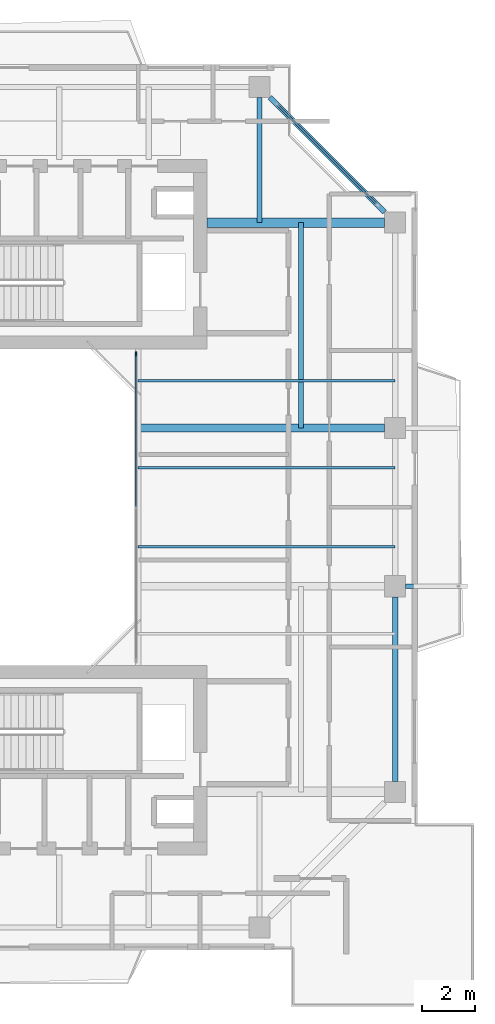
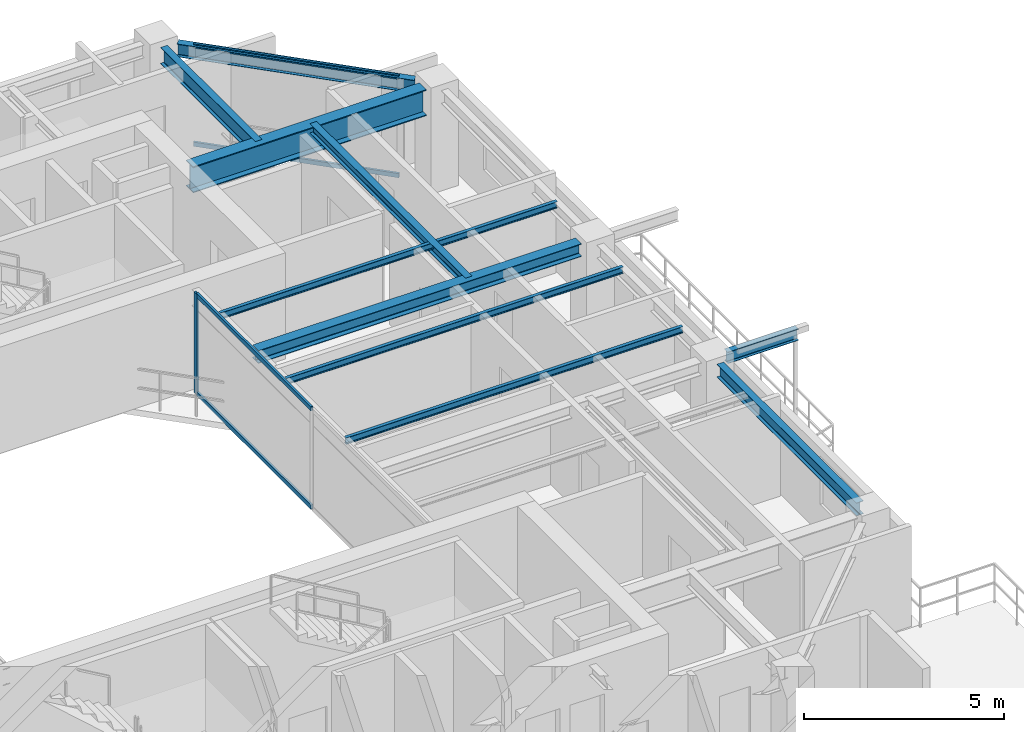
# One storey, part 6 of 15: 10 beams, 5 members, 2 elements without a shape of their own.
"""IFC4 building model written with IfcOpenShell, lengths in metres."""

from ifc_helpers import new_model, si_unit, direction, frame, origin, origin_2d, place, context, subcontext, project, spatial, rectangle, i_section, extrude, source, transform, mapped, material, layer, layer_set, material_profile, profile_set, type_object, element, aggregate, save


model = new_model("IFC4")

# Units and contexts
model_context = context("Model", 3, precision=1e-05, world=origin(), true_north=direction((0.0, 1.0)))
body_context = subcontext(model_context, "Body", "Model", "MODEL_VIEW")
ifc_project = project(units=[si_unit("LENGTHUNIT", "METRE"), si_unit("AREAUNIT", "SQUARE_METRE"), si_unit("VOLUMEUNIT", "CUBIC_METRE"), si_unit("PLANEANGLEUNIT", "RADIAN"), si_unit("MASSUNIT", "GRAM", prefix="KILO"), si_unit("THERMODYNAMICTEMPERATUREUNIT", "KELVIN"), si_unit("POWERUNIT", "WATT")], contexts=[model_context])

# Site, building, storey
site_placement = place(None, origin())
site = spatial("IfcSite", under=ifc_project, at=site_placement, CompositionType="ELEMENT")
building_placement = place(site_placement, origin())
building = spatial("IfcBuilding", under=site, at=building_placement, Name="Qiaomeng Ring Towers", CompositionType="ELEMENT")
storey_placement = place(building_placement, frame((0.0, 0.0, 213.25)))
storey = spatial("IfcBuildingStorey", under=building, at=storey_placement, Name="L62", CompositionType="ELEMENT", Elevation=213.25)

# Beams
ifc_material_1 = material(Name="Steel Q355B", Category="steel")
ifc_material_profile_1 = material_profile(ifc_material_1, i_section(OverallWidth=0.198974609375, OverallDepth=0.39599609375, WebThickness=0.007080078125, FlangeThickness=0.010986328125, FilletRadius=0.01611328125, at=origin_2d()), Name="HN 396x199x7x11")
ifc_profile_set_1 = profile_set([ifc_material_profile_1], Name="Steel Q355B")
beam_type_1 = type_object("IfcBeamType", Name="STR-BM-HN396", PredefinedType="SPANDREL", material=ifc_profile_set_1)
shared_shape_1 = source(origin(), body_context, "Body", "SweptSolid", [
    extrude(i_section(OverallWidth=0.198974609375, OverallDepth=0.39599609375, WebThickness=0.007080078125, FlangeThickness=0.010986328125, FilletRadius=0.01611328125, at=origin_2d()), origin(), (0.0, 0.0, 1.0), 6.154052734375),
])
beam_1_placement = place(storey_placement, frame((34.55078125, 34.19921875, 2.8720703125), z_axis=(-0.707106781187, 0.707106781187, 0.0), x_axis=(-0.707106781187, -0.707106781187, 0.0)))
element("IfcBeam", 1, at=beam_1_placement, inside=storey, type_object=beam_type_1, Name="L62 beam STR-SP-L62-T1-E4-N2", PredefinedType="SPANDREL", context=body_context, shape_type="MappedRepresentation", body=[
    mapped(shared_shape_1, transform((0.0, 0.0, 0.0), x_axis=(1.0, 0.0, 0.0), y_axis=(0.0, 1.0, 0.0), z_axis=(0.0, 0.0, 1.0), scale=1.0)),
])
shared_shape_2 = source(origin(), body_context, "Body", "SweptSolid", [
    extrude(i_section(OverallWidth=0.198974609375, OverallDepth=0.39599609375, WebThickness=0.007080078125, FlangeThickness=0.010986328125, FilletRadius=0.01611328125, at=origin_2d()), origin(), (0.0, 0.0, 1.0), 7.001953125),
])
beam_2_placement = place(storey_placement, frame((34.949951171875, 12.59912109375, 2.8720703125), z_axis=(0.0, 1.0, 0.0), x_axis=(-1.0, 0.0, 0.0)))
element("IfcBeam", 2, at=beam_2_placement, inside=storey, type_object=beam_type_1, Name="L62 beam STR-SP-L62-T1-E1-E2", PredefinedType="SPANDREL", context=body_context, shape_type="MappedRepresentation", body=[
    mapped(shared_shape_2, transform((0.0, 0.0, 0.0), x_axis=(1.0, 0.0, 0.0), y_axis=(0.0, 1.0, 0.0), z_axis=(0.0, 0.0, 1.0), scale=1.0)),
])
ifc_material_2 = material(Name="Steel Q390GJC", Category="steel")
ifc_material_profile_2 = material_profile(ifc_material_2, i_section(OverallWidth=0.35009765625, OverallDepth=0.800048828125, WebThickness=0.01611328125, FlangeThickness=0.028076171875, at=origin_2d()), Name="WH 800x350x16x28")
ifc_profile_set_2 = profile_set([ifc_material_profile_2], Name="Steel Q390GJC")
beam_type_2 = type_object("IfcBeamType", Name="STR-BM-WH800", PredefinedType="BEAM", material=ifc_profile_set_2)
shared_shape_3 = source(origin(), body_context, "Body", "SweptSolid", [
    extrude(i_section(OverallWidth=0.35009765625, OverallDepth=0.800048828125, WebThickness=0.01611328125, FlangeThickness=0.028076171875, at=origin_2d()), origin(), (0.0, 0.0, 1.0), 6.7509765625),
])
beam_3_placement = place(storey_placement, frame((27.800048828125, 33.800048828125, 2.669921875), z_axis=(1.0, 0.0, 0.0), x_axis=(0.0, 1.0, 0.0)))
element("IfcBeam", 3, at=beam_3_placement, inside=storey, type_object=beam_type_2, Name="L62 beam STR-BM-L62-T1-RAD-E4", PredefinedType="BEAM", context=body_context, shape_type="MappedRepresentation", body=[
    mapped(shared_shape_3, transform((0.0, 0.0, 0.0), x_axis=(1.0, 0.0, 0.0), y_axis=(0.0, 1.0, 0.0), z_axis=(0.0, 0.0, 1.0), scale=1.0)),
])
ifc_material_profile_3 = material_profile(ifc_material_1, i_section(OverallWidth=0.300048828125, OverallDepth=0.389892578125, WebThickness=0.010009765625, FlangeThickness=0.01611328125, FilletRadius=0.02197265625, at=origin_2d()), Name="HM 390x300x10x16")
ifc_profile_set_3 = profile_set([ifc_material_profile_3], Name="Steel Q355B")
beam_type_3 = type_object("IfcBeamType", Name="STR-BM-HM390", PredefinedType="BEAM", material=ifc_profile_set_3)
shared_shape_4 = source(origin(), body_context, "Body", "SweptSolid", [
    extrude(i_section(OverallWidth=0.300048828125, OverallDepth=0.389892578125, WebThickness=0.010009765625, FlangeThickness=0.01611328125, FilletRadius=0.02197265625, at=origin_2d()), origin(), (0.0, 0.0, 1.0), 9.35107421875),
])
beam_4_placement = place(storey_placement, frame((25.199951171875, 26.0, 2.875), z_axis=(1.0, 0.0, 0.0), x_axis=(0.0, 1.0, 0.0)))
element("IfcBeam", 4, at=beam_4_placement, inside=storey, type_object=beam_type_3, Name="L62 beam STR-BM-L62-T1-RAD-E3", PredefinedType="BEAM", context=body_context, shape_type="MappedRepresentation", body=[
    mapped(shared_shape_4, transform((0.0, 0.0, 0.0), x_axis=(1.0, 0.0, 0.0), y_axis=(0.0, 1.0, 0.0), z_axis=(0.0, 0.0, 1.0), scale=1.0)),
])
ifc_material_profile_4 = material_profile(ifc_material_1, i_section(OverallWidth=0.175048828125, OverallDepth=0.35009765625, WebThickness=0.007080078125, FlangeThickness=0.010986328125, FilletRadius=0.013916015625, at=origin_2d()), Name="HN 350x175x7x11")
ifc_profile_set_4 = profile_set([ifc_material_profile_4], Name="Steel Q355B")
beam_type_4 = type_object("IfcBeamType", Name="STR-BM-HN350", PredefinedType="JOIST", material=ifc_profile_set_4)
shared_shape_5 = source(origin(), body_context, "Body", "SweptSolid", [
    extrude(i_section(OverallWidth=0.175048828125, OverallDepth=0.35009765625, WebThickness=0.007080078125, FlangeThickness=0.010986328125, FilletRadius=0.013916015625, at=origin_2d()), origin(), (0.0, 0.0, 1.0), 2.05078125),
])
beam_5_placement = place(storey_placement, frame((35.34912109375, 20.0, 2.89501953125), z_axis=(1.0, 0.0, 0.0), x_axis=(0.0, 1.0, 0.0)))
element("IfcBeam", 5, at=beam_5_placement, inside=storey, type_object=beam_type_4, Name="L62 beam STR-BALBM-L62-E2", PredefinedType="JOIST", context=body_context, shape_type="MappedRepresentation", body=[
    mapped(shared_shape_5, transform((0.0, 0.0, 0.0), x_axis=(1.0, 0.0, 0.0), y_axis=(0.0, 1.0, 0.0), z_axis=(0.0, 0.0, 1.0), scale=1.0)),
])
ifc_material_profile_5 = material_profile(ifc_material_1, i_section(OverallWidth=0.10009765625, OverallDepth=0.199951171875, WebThickness=0.005615234375, FlangeThickness=0.008056640625, FilletRadius=0.010986328125, at=origin_2d()), Name="HN 200x100x5.5x8")
ifc_profile_set_5 = profile_set([ifc_material_profile_5], Name="Steel Q355B")
beam_type_5 = type_object("IfcBeamType", Name="STR-BM-HN200", PredefinedType="JOIST", material=ifc_profile_set_5)
shared_shape_6 = source(origin(), body_context, "Body", "SweptSolid", [
    extrude(i_section(OverallWidth=0.10009765625, OverallDepth=0.199951171875, WebThickness=0.005615234375, FlangeThickness=0.008056640625, FilletRadius=0.010986328125, at=origin_2d()), origin(), (0.0, 0.0, 1.0), 9.75),
])
for number, where, z_axis, x_axis, name in (
    (6, (25.199951171875, 21.5, 2.969970703125), (1.0, 0.0, 0.0), (0.0, 1.0, 0.0), "L62 beam STR-JST-L62-T1E-2"),
    (7, (25.199951171875, 24.5, 2.969970703125), (1.0, 0.0, 0.0), (0.0, 1.0, 0.0), "L62 beam STR-JST-L62-T1E-3"),
    (8, (25.199951171875, 27.800048828125, 2.969970703125), (1.0, 0.0, 0.0), (0.0, 1.0, 0.0), "L62 beam STR-JST-L62-T1E-4"),
):
    element("IfcBeam", number, at=place(storey_placement, frame(where, z_axis=z_axis, x_axis=x_axis)), inside=storey, type_object=beam_type_5, Name=name, PredefinedType="JOIST", context=body_context, shape_type="MappedRepresentation", body=[
        mapped(shared_shape_6, transform((0.0, 0.0, 0.0), x_axis=(1.0, 0.0, 0.0), y_axis=(0.0, 1.0, 0.0), z_axis=(0.0, 0.0, 1.0), scale=1.0)),
    ])
ifc_material_profile_6 = material_profile(ifc_material_1, i_section(OverallWidth=0.199951171875, OverallDepth=0.2939453125, WebThickness=0.008056640625, FlangeThickness=0.011962890625, FilletRadius=0.01806640625, at=origin_2d()), Name="HM 294x200x8x12")
ifc_profile_set_6 = profile_set([ifc_material_profile_6], Name="Steel Q355B")
beam_type_6 = type_object("IfcBeamType", Name="STR-BM-HM294", PredefinedType="JOIST", material=ifc_profile_set_6)
shared_shape_7 = source(origin(), body_context, "Body", "SweptSolid", [
    extrude(i_section(OverallWidth=0.199951171875, OverallDepth=0.2939453125, WebThickness=0.008056640625, FlangeThickness=0.011962890625, FilletRadius=0.01806640625, at=origin_2d()), origin(), (0.0, 0.0, 1.0), 7.800048828125),
])
beam_6_placement = place(storey_placement, frame((31.375, 26.0, 2.923095703125), z_axis=(0.0, 1.0, 0.0), x_axis=(-1.0, 0.0, 0.0)))
element("IfcBeam", 9, at=beam_6_placement, inside=storey, type_object=beam_type_6, Name="L62 beam STR-JST-L62-T1C-EN", PredefinedType="JOIST", context=body_context, shape_type="MappedRepresentation", body=[
    mapped(shared_shape_7, transform((0.0, 0.0, 0.0), x_axis=(1.0, 0.0, 0.0), y_axis=(0.0, 1.0, 0.0), z_axis=(0.0, 0.0, 1.0), scale=1.0)),
])
ifc_material_profile_7 = material_profile(ifc_material_1, i_section(OverallWidth=0.198974609375, OverallDepth=0.49609375, WebThickness=0.009033203125, FlangeThickness=0.013916015625, FilletRadius=0.01806640625, at=origin_2d()), Name="HN 496x199x9x14")
ifc_profile_set_7 = profile_set([ifc_material_profile_7], Name="Steel Q355B")
beam_type_7 = type_object("IfcBeamType", Name="STR-BM-HN496", PredefinedType="BEAM", material=ifc_profile_set_7)
shared_shape_8 = source(origin(), body_context, "Body", "SweptSolid", [
    extrude(i_section(OverallWidth=0.198974609375, OverallDepth=0.49609375, WebThickness=0.009033203125, FlangeThickness=0.013916015625, FilletRadius=0.01806640625, at=origin_2d()), origin(), (0.0, 0.0, 1.0), 4.7509765625),
])
beam_7_placement = place(storey_placement, frame((29.800048828125, 38.551025390625, 2.822021484375), z_axis=(0.0, -1.0, 0.0), x_axis=(1.0, 0.0, 0.0)))
element("IfcBeam", 10, at=beam_7_placement, inside=storey, type_object=beam_type_7, Name="L62 beam STR-BM-L62-T1-RAD-N2", PredefinedType="BEAM", context=body_context, shape_type="MappedRepresentation", body=[
    mapped(shared_shape_8, transform((0.0, 0.0, 0.0), x_axis=(1.0, 0.0, 0.0), y_axis=(0.0, 1.0, 0.0), z_axis=(0.0, 0.0, 1.0), scale=1.0)),
])

# Curtain wall, members
ifc_material_3 = material(Name="Fluorocarbon dark-grey aluminium", Category="aluminium")
ifc_layer_1 = layer(ifc_material_3, 0.139892578125, Name="Fluorocarbon dark-grey aluminium")
ifc_layer_set_1 = layer_set([ifc_layer_1], Name="Fluorocarbon dark-grey aluminium")
curtain_wall_type_1 = type_object("IfcCurtainWallType", Name="ARC-CW-4", PredefinedType="NOTDEFINED", material=ifc_layer_set_1)
curtain_wall_1_placement = place(storey_placement, origin())
curtain_wall_1 = element("IfcCurtainWall", 11, at=curtain_wall_1_placement, inside=storey, type_object=curtain_wall_type_1, Name="L62 Curtain Wall CW4", PredefinedType="NOTDEFINED")
ifc_material_profile_8 = material_profile(ifc_material_3, rectangle(XDim=0.06494140625, YDim=0.159912109375, at=origin_2d()), Name="ALU MULL 65x160")
ifc_profile_set_8 = profile_set([ifc_material_profile_8], Name="Fluorocarbon dark-grey aluminium")
member_type_1 = type_object("IfcMemberType", Name="ARC-CWM-140", PredefinedType="MULLION", material=ifc_profile_set_8)
shared_shape_9 = source(origin(), body_context, "Body", "SweptSolid", [
    extrude(rectangle(XDim=0.06494140625, YDim=0.159912109375, at=origin_2d()), origin(), (0.0, 0.0, 1.0), 3.070068359375),
])
member_1_placement = place(storey_placement, frame((25.1201171875, 28.8173828125, 0.0), z_axis=(0.0, 0.0, 1.0), x_axis=(-1.0, 0.0, 0.0)))
member_1 = element("IfcMember", 12, at=member_1_placement, type_object=member_type_1, Name="CW4 mullion 3", PredefinedType="MULLION", context=body_context, shape_type="MappedRepresentation", body=[
    mapped(shared_shape_9, transform((0.0, 0.0, 0.0), x_axis=(1.0, 0.0, 0.0), y_axis=(0.0, 1.0, 0.0), z_axis=(0.0, 0.0, 1.0), scale=1.0)),
])
ifc_material_profile_9 = material_profile(ifc_material_3, rectangle(XDim=0.06494140625, YDim=0.1298828125, at=origin_2d()), Name="ALU TRAN 65x130")
ifc_profile_set_9 = profile_set([ifc_material_profile_9], Name="Fluorocarbon dark-grey aluminium")
member_type_2 = type_object("IfcMemberType", Name="ARC-CWT-120", PredefinedType="USERDEFINED", material=ifc_profile_set_9)
shared_shape_10 = source(origin(), body_context, "Body", "SweptSolid", [
    extrude(rectangle(XDim=0.06494140625, YDim=0.1298828125, at=origin_2d()), origin(), (0.0, 0.0, 1.0), 5.75244140625),
])
member_2_placement = place(storey_placement, frame((25.1201171875, 23.032470703125, 0.032470703125), z_axis=(0.0, 1.0, 0.0), x_axis=(-1.0, 0.0, 0.0)))
member_2 = element("IfcMember", 13, at=member_2_placement, type_object=member_type_2, Name="CW4 transom 2.1", ObjectType="TRANSOM", PredefinedType="USERDEFINED", context=body_context, shape_type="MappedRepresentation", body=[
    mapped(shared_shape_10, transform((0.0, 0.0, 0.0), x_axis=(1.0, 0.0, 0.0), y_axis=(0.0, 1.0, 0.0), z_axis=(0.0, 0.0, 1.0), scale=1.0)),
])
member_3_placement = place(storey_placement, frame((25.1201171875, 23.032470703125, 3.03759765625), z_axis=(0.0, 1.0, 0.0), x_axis=(-1.0, 0.0, 0.0)))
member_3 = element("IfcMember", 14, at=member_3_placement, type_object=member_type_2, Name="CW4 transom 2.2", ObjectType="TRANSOM", PredefinedType="USERDEFINED", context=body_context, shape_type="MappedRepresentation", body=[
    mapped(shared_shape_10, transform((0.0, 0.0, 0.0), x_axis=(1.0, 0.0, 0.0), y_axis=(0.0, 1.0, 0.0), z_axis=(0.0, 0.0, 1.0), scale=1.0)),
])
aggregate(curtain_wall_1, [member_1, member_2, member_3])

ifc_layer_2 = layer(ifc_material_3, 0.14990234375, Name="Fluorocarbon dark-grey aluminium")
ifc_layer_set_2 = layer_set([ifc_layer_2], Name="Fluorocarbon dark-grey aluminium")
curtain_wall_type_2 = type_object("IfcCurtainWallType", Name="ARC-CW-3", PredefinedType="NOTDEFINED", material=ifc_layer_set_2)
curtain_wall_2_placement = place(storey_placement, origin())
curtain_wall_2 = element("IfcCurtainWall", 15, at=curtain_wall_2_placement, inside=storey, type_object=curtain_wall_type_2, Name="L62 Curtain Wall CW3", PredefinedType="NOTDEFINED")
shared_shape_11 = source(origin(), body_context, "Body", "SweptSolid", [
    extrude(rectangle(XDim=0.06494140625, YDim=0.1298828125, at=origin_2d()), origin(), (0.0, 0.0, 1.0), 5.3330078125),
])
member_4_placement = place(storey_placement, frame((34.260498046875, 34.489501953125, 0.032470703125), z_axis=(-0.707106781187, 0.707106781187, 0.0), x_axis=(-0.707106781187, -0.707106781187, 0.0)))
member_4 = element("IfcMember", 16, at=member_4_placement, type_object=member_type_2, Name="CW3 transom 1.1", ObjectType="TRANSOM", PredefinedType="USERDEFINED", context=body_context, shape_type="MappedRepresentation", body=[
    mapped(shared_shape_11, transform((0.0, 0.0, 0.0), x_axis=(1.0, 0.0, 0.0), y_axis=(0.0, 1.0, 0.0), z_axis=(0.0, 0.0, 1.0), scale=1.0)),
])
member_5_placement = place(storey_placement, frame((34.260498046875, 34.489501953125, 3.03759765625), z_axis=(-0.707106781187, 0.707106781187, 0.0), x_axis=(-0.707106781187, -0.707106781187, 0.0)))
member_5 = element("IfcMember", 17, at=member_5_placement, type_object=member_type_2, Name="CW3 transom 1.2", ObjectType="TRANSOM", PredefinedType="USERDEFINED", context=body_context, shape_type="MappedRepresentation", body=[
    mapped(shared_shape_11, transform((0.0, 0.0, 0.0), x_axis=(1.0, 0.0, 0.0), y_axis=(0.0, 1.0, 0.0), z_axis=(0.0, 0.0, 1.0), scale=1.0)),
])
aggregate(curtain_wall_2, [member_4, member_5])

save(model, "model.ifc")
